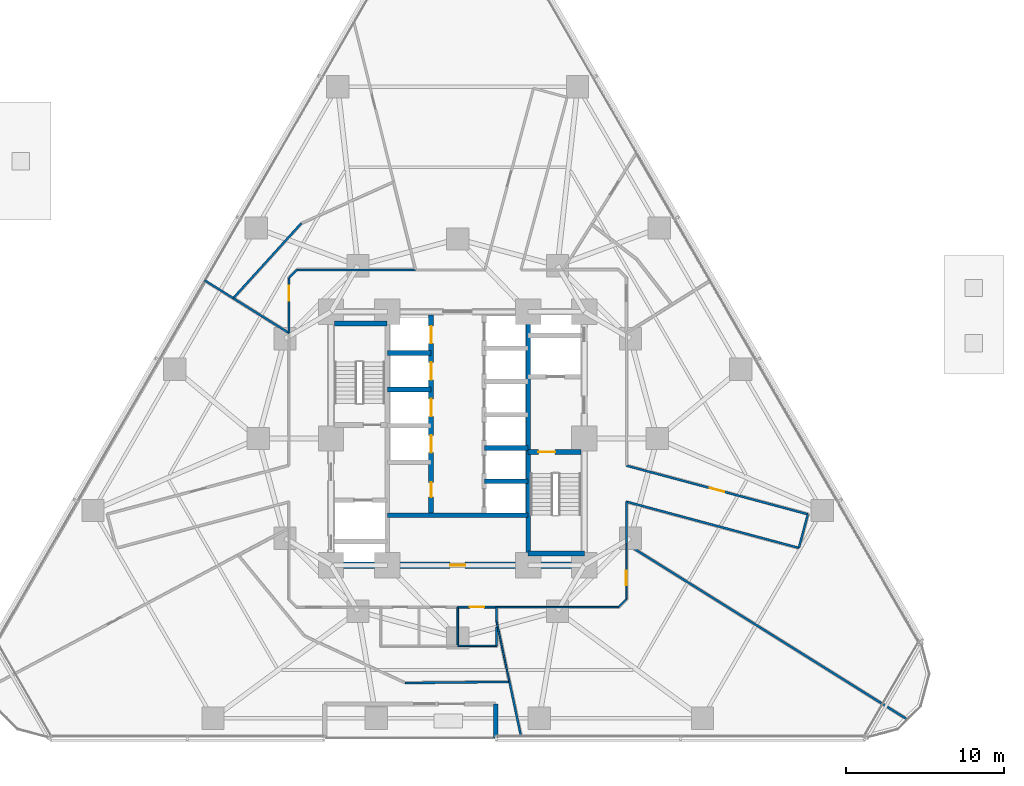
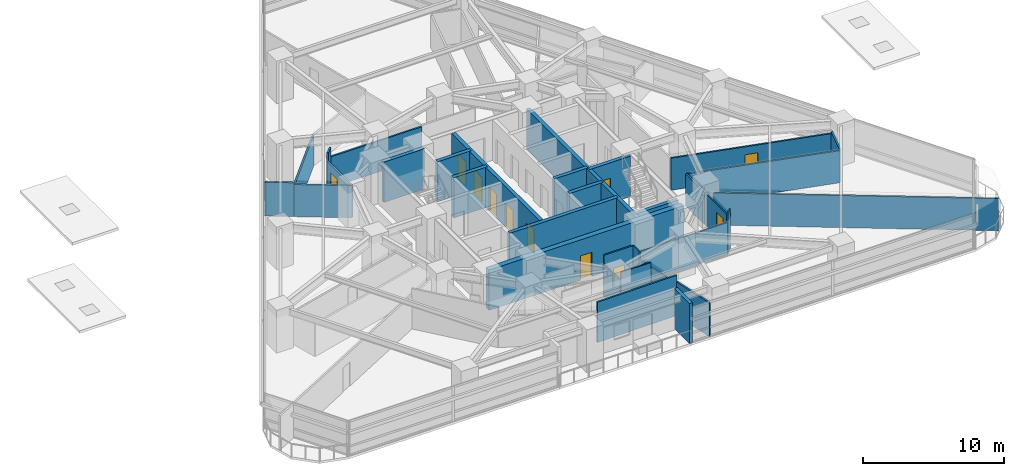
# One storey, part 9 of 16: 34 walls, 11 doors, 11 openings.
"""IFC4 building model written with IfcOpenShell, lengths in metres."""

from ifc_helpers import new_model, si_unit, direction, frame, frame_2d, origin, place, context, subcontext, project, spatial, rectangle, extrude, material, layer, layer_set, type_object, element, fill, save


model = new_model("IFC4")

# Units and contexts
model_context = context("Model", 3, precision=1e-05, world=origin(), true_north=direction((0.0, 1.0)))
body_context = subcontext(model_context, "Body", "Model", "MODEL_VIEW")
ifc_project = project(units=[si_unit("LENGTHUNIT", "METRE"), si_unit("AREAUNIT", "SQUARE_METRE"), si_unit("VOLUMEUNIT", "CUBIC_METRE"), si_unit("PLANEANGLEUNIT", "RADIAN"), si_unit("MASSUNIT", "GRAM", prefix="KILO")], contexts=[model_context])

# Site, building, storey
site_placement = place(None, origin())
site = spatial("IfcSite", under=ifc_project, at=site_placement, CompositionType="ELEMENT")
building_placement = place(site_placement, origin())
building = spatial("IfcBuilding", under=site, at=building_placement, Name="Terralouvre Media Tower", CompositionType="ELEMENT")
storey_placement = place(building_placement, frame((0.0, 0.0, 29.699951171875)))
storey = spatial("IfcBuildingStorey", under=building, at=storey_placement, Name="L06", CompositionType="ELEMENT", Elevation=29.699951171875)

# Walls
ifc_material_1 = material(Name="Concrete C50/60", Category="concrete")
ifc_layer_1 = layer(ifc_material_1, 0.300048828125, Name="Core Internal Shaft Wall CW-300")
ifc_layer_set_1 = layer_set([ifc_layer_1], Name="Concrete C50/60")
wall_type_1 = type_object("IfcWallType", Name="Core Internal Shaft Wall CW-300", PredefinedType="SHEAR", material=ifc_layer_set_1)
wall_1_placement = place(storey_placement, frame((4.449951171875, -7.7900390625, 0.0), z_axis=(0.0, 0.0, 1.0), x_axis=(0.0, 1.0, 0.0)))
element("IfcWall", 1, at=wall_1_placement, inside=storey, type_object=wall_type_1, Name="L06 Core Shaft Wall SPE", PredefinedType="SHEAR", context=body_context, shape_type="SweptSolid", body=[
    extrude(rectangle(XDim=15.580078125, YDim=0.300048828125, at=frame_2d((7.7900390625, 0.0))), origin(), (0.0, 0.0, 1.0), 3.5),
])
wall_2_placement = place(storey_placement, frame((-7.7900390625, 7.260009765625, 0.0), z_axis=(0.0, 0.0, 1.0), x_axis=(1.0, 0.0, 0.0)))
element("IfcWall", 2, at=wall_2_placement, inside=storey, type_object=wall_type_1, Name="L06 Core Shaft Wall ST1F", PredefinedType="SHEAR", context=body_context, shape_type="SweptSolid", body=[
    extrude(rectangle(XDim=3.340087890625, YDim=0.300048828125, at=frame_2d((1.669921875, 0.0))), origin(), (0.0, 0.0, 1.0), 3.5),
])

# Wall, opening, door
wall_3_placement = place(storey_placement, frame((4.449951171875, -0.85009765625, 0.0), z_axis=(0.0, 0.0, 1.0), x_axis=(1.0, 0.0, 0.0)))
wall_3 = element("IfcWall", 3, at=wall_3_placement, inside=storey, type_object=wall_type_1, Name="L06 Core Shaft Wall ST2D", PredefinedType="SHEAR", context=body_context, shape_type="SweptSolid", body=[
    extrude(rectangle(XDim=3.340087890625, YDim=0.300048828125, at=frame_2d((1.669921875, 0.0))), origin(), (0.0, 0.0, 1.0), 3.5),
])
opening_1_placement = place(wall_3_placement, frame((0.64990234375, 0.0, 0.0)))
opening_1 = element("IfcOpeningElement", 4, at=opening_1_placement, cuts=wall_3, Name="Opening FD-01-105X215", PredefinedType="OPENING", context=body_context, shape_type="SweptSolid", body=[
    extrude(rectangle(XDim=1.050048828125, YDim=2.14990234375, at=frame_2d((0.52490234375, 1.074951171875))), frame((0.0, 0.159912109375, 0.0), z_axis=(0.0, -1.0, 0.0), x_axis=(1.0, 0.0, 0.0)), (0.0, 0.0, 1.0), 0.320068359375),
])
ifc_material_2 = material(Name="Galvanised steel fire-resisting leaf", Category="steel")
door_type_1 = type_object("IfcDoorType", Name="Stair and Firefighting Lobby Fire Door FD-01 (1050x2150)", OperationType="NOTDEFINED", PredefinedType="DOOR", material=ifc_material_2)
door_1_placement = place(opening_1_placement, origin())
door_1 = element("IfcDoor", 5, at=door_1_placement, inside=storey, type_object=door_type_1, Name="L06 ST-02 Exit Stair Door", OperationType="SINGLE_SWING_RIGHT", OverallHeight=2.14990234375, OverallWidth=1.050048828125, PredefinedType="DOOR", context=body_context, shape_type="SweptSolid", body=[
    extrude(rectangle(XDim=1.050048828125, YDim=2.14990234375, at=frame_2d((0.52490234375, 1.074951171875))), frame((0.0, 0.02490234375, 0.0), z_axis=(0.0, -1.0, 0.0), x_axis=(1.0, 0.0, 0.0)), (0.0, 0.0, 1.0), 0.050048828125),
])
fill(opening_1, door_1)

# Walls
wall_4_placement = place(storey_placement, frame((4.449951171875, -7.260009765625, 0.0), z_axis=(0.0, 0.0, 1.0), x_axis=(1.0, 0.0, 0.0)))
element("IfcWall", 6, at=wall_4_placement, inside=storey, type_object=wall_type_1, Name="L06 Core Shaft Wall ST2F", PredefinedType="SHEAR", context=body_context, shape_type="SweptSolid", body=[
    extrude(rectangle(XDim=3.550048828125, YDim=0.300048828125, at=frame_2d((1.77490234375, 0.0))), origin(), (0.0, 0.0, 1.0), 3.5),
])
wall_5_placement = place(storey_placement, frame((-4.449951171875, -4.85009765625, 0.0), z_axis=(0.0, 0.0, 1.0), x_axis=(1.0, 0.0, 0.0)))
element("IfcWall", 7, at=wall_5_placement, inside=storey, type_object=wall_type_1, Name="L06 Core Shaft Wall CSBN", PredefinedType="SHEAR", context=body_context, shape_type="SweptSolid", body=[
    extrude(rectangle(XDim=8.89990234375, YDim=0.300048828125, at=frame_2d((4.449951171875, 0.0))), origin(), (0.0, 0.0, 1.0), 3.5),
])

# Wall, openings, doors
wall_6_placement = place(storey_placement, frame((-1.679931640625, -4.85009765625, 0.0), z_axis=(0.0, 0.0, 1.0), x_axis=(0.0, 1.0, 0.0)))
wall_6 = element("IfcWall", 8, at=wall_6_placement, inside=storey, type_object=wall_type_1, Name="L06 Core Shaft Wall LBW", PredefinedType="SHEAR", context=body_context, shape_type="SweptSolid", body=[
    extrude(rectangle(XDim=12.64013671875, YDim=0.300048828125, at=frame_2d((6.320068359375, 0.0))), origin(), (0.0, 0.0, 1.0), 3.5),
])
opening_2_placement = place(wall_6_placement, frame((3.949951171875, 0.0, 0.0)))
opening_2 = element("IfcOpeningElement", 9, at=opening_2_placement, cuts=wall_6, Name="Opening LD-PL", PredefinedType="OPENING", context=body_context, shape_type="SweptSolid", body=[
    extrude(rectangle(XDim=1.10009765625, YDim=2.10009765625, at=frame_2d((0.550048828125, 1.050048828125))), frame((0.0, 0.159912109375, 0.0), z_axis=(0.0, -1.0, 0.0), x_axis=(1.0, 0.0, 0.0)), (0.0, 0.0, 1.0), 0.320068359375),
])
opening_3_placement = place(wall_6_placement, frame((6.25, 0.0, 0.0)))
opening_3 = element("IfcOpeningElement", 10, at=opening_3_placement, cuts=wall_6, Name="Opening LD-PL", PredefinedType="OPENING", context=body_context, shape_type="SweptSolid", body=[
    extrude(rectangle(XDim=1.10009765625, YDim=2.10009765625, at=frame_2d((0.550048828125, 1.050048828125))), frame((0.0, 0.159912109375, 0.0), z_axis=(0.0, -1.0, 0.0), x_axis=(1.0, 0.0, 0.0)), (0.0, 0.0, 1.0), 0.320068359375),
])
opening_4_placement = place(wall_6_placement, frame((8.550048828125, 0.0, 0.0)))
opening_4 = element("IfcOpeningElement", 11, at=opening_4_placement, cuts=wall_6, Name="Opening LD-PL", PredefinedType="OPENING", context=body_context, shape_type="SweptSolid", body=[
    extrude(rectangle(XDim=1.10009765625, YDim=2.10009765625, at=frame_2d((0.550048828125, 1.050048828125))), frame((0.0, 0.159912109375, 0.0), z_axis=(0.0, -1.0, 0.0), x_axis=(1.0, 0.0, 0.0)), (0.0, 0.0, 1.0), 0.320068359375),
])
opening_5_placement = place(wall_6_placement, frame((10.85009765625, 0.0, 0.0)))
opening_5 = element("IfcOpeningElement", 12, at=opening_5_placement, cuts=wall_6, Name="Opening LD-PL", PredefinedType="OPENING", context=body_context, shape_type="SweptSolid", body=[
    extrude(rectangle(XDim=1.10009765625, YDim=2.10009765625, at=frame_2d((0.550048828125, 1.050048828125))), frame((0.0, 0.159912109375, 0.0), z_axis=(0.0, -1.0, 0.0), x_axis=(1.0, 0.0, 0.0)), (0.0, 0.0, 1.0), 0.320068359375),
])
opening_6_placement = place(wall_6_placement, frame((1.14990234375, 0.0, 0.0)))
opening_6 = element("IfcOpeningElement", 13, at=opening_6_placement, cuts=wall_6, Name="Opening FD-05-92X210", PredefinedType="OPENING", context=body_context, shape_type="SweptSolid", body=[
    extrude(rectangle(XDim=0.919921875, YDim=2.10009765625, at=frame_2d((0.4599609375, 1.050048828125))), frame((0.0, 0.159912109375, 0.0), z_axis=(0.0, -1.0, 0.0), x_axis=(1.0, 0.0, 0.0)), (0.0, 0.0, 1.0), 0.320068359375),
])
ifc_material_3 = material(Name="Galvanised steel fire-resisting leaf", Category="steel")
door_type_2 = type_object("IfcDoorType", Name="Core Accessible Closet Fire Door FD-05 (920x2100)", OperationType="NOTDEFINED", PredefinedType="DOOR", material=ifc_material_3)
door_2_placement = place(opening_6_placement, origin())
door_2 = element("IfcDoor", 14, at=door_2_placement, inside=storey, type_object=door_type_2, Name="L06 Core Cleaners Closet Door", OperationType="SINGLE_SWING_LEFT", OverallHeight=2.10009765625, OverallWidth=0.919921875, PredefinedType="DOOR", context=body_context, shape_type="SweptSolid", body=[
    extrude(rectangle(XDim=0.919921875, YDim=2.10009765625, at=frame_2d((0.4599609375, 1.050048828125))), frame((0.0, 0.02490234375, 0.0), z_axis=(0.0, -1.0, 0.0), x_axis=(1.0, 0.0, 0.0)), (0.0, 0.0, 1.0), 0.050048828125),
])
fill(opening_6, door_2)
ifc_material_4 = material(Name="Stainless steel 316 handrail and balustrade", Category="steel")
door_type_3 = type_object("IfcDoorType", Name="Passenger Lift Sliding Landing Door LD-PL", OperationType="SLIDING_TO_LEFT", PredefinedType="DOOR", material=ifc_material_4)
door_3_placement = place(opening_2_placement, origin())
door_3 = element("IfcDoor", 15, at=door_3_placement, inside=storey, type_object=door_type_3, Name="L06 Low-Rise Lift PL-L1 Landing Door", OperationType="SLIDING_TO_LEFT", OverallHeight=2.10009765625, OverallWidth=1.10009765625, PredefinedType="DOOR", context=body_context, shape_type="SweptSolid", body=[
    extrude(rectangle(XDim=1.10009765625, YDim=2.10009765625, at=frame_2d((0.550048828125, 1.050048828125))), frame((0.0, 0.02490234375, 0.0), z_axis=(0.0, -1.0, 0.0), x_axis=(1.0, 0.0, 0.0)), (0.0, 0.0, 1.0), 0.050048828125),
])
fill(opening_2, door_3)
door_4_placement = place(opening_3_placement, origin())
door_4 = element("IfcDoor", 16, at=door_4_placement, inside=storey, type_object=door_type_3, Name="L06 Low-Rise Lift PL-L2 Landing Door", OperationType="SLIDING_TO_LEFT", OverallHeight=2.10009765625, OverallWidth=1.10009765625, PredefinedType="DOOR", context=body_context, shape_type="SweptSolid", body=[
    extrude(rectangle(XDim=1.10009765625, YDim=2.10009765625, at=frame_2d((0.550048828125, 1.050048828125))), frame((0.0, 0.02490234375, 0.0), z_axis=(0.0, -1.0, 0.0), x_axis=(1.0, 0.0, 0.0)), (0.0, 0.0, 1.0), 0.050048828125),
])
fill(opening_3, door_4)
door_5_placement = place(opening_4_placement, origin())
door_5 = element("IfcDoor", 17, at=door_5_placement, inside=storey, type_object=door_type_3, Name="L06 Low-Rise Lift PL-L3 Landing Door", OperationType="SLIDING_TO_LEFT", OverallHeight=2.10009765625, OverallWidth=1.10009765625, PredefinedType="DOOR", context=body_context, shape_type="SweptSolid", body=[
    extrude(rectangle(XDim=1.10009765625, YDim=2.10009765625, at=frame_2d((0.550048828125, 1.050048828125))), frame((0.0, 0.02490234375, 0.0), z_axis=(0.0, -1.0, 0.0), x_axis=(1.0, 0.0, 0.0)), (0.0, 0.0, 1.0), 0.050048828125),
])
fill(opening_4, door_5)
door_6_placement = place(opening_5_placement, origin())
door_6 = element("IfcDoor", 18, at=door_6_placement, inside=storey, type_object=door_type_3, Name="L06 Low-Rise Lift PL-L4 Landing Door", OperationType="SLIDING_TO_LEFT", OverallHeight=2.10009765625, OverallWidth=1.10009765625, PredefinedType="DOOR", context=body_context, shape_type="SweptSolid", body=[
    extrude(rectangle(XDim=1.10009765625, YDim=2.10009765625, at=frame_2d((0.550048828125, 1.050048828125))), frame((0.0, 0.02490234375, 0.0), z_axis=(0.0, -1.0, 0.0), x_axis=(1.0, 0.0, 0.0)), (0.0, 0.0, 1.0), 0.050048828125),
])
fill(opening_5, door_6)

# Walls
for number, where, z_axis, x_axis, name in (
    (19, (-4.449951171875, 3.10009765625, 0.0), (0.0, 0.0, 1.0), (1.0, 0.0, 0.0), "L06 Core Shaft Wall PLLD2"),
    (20, (-4.449951171875, 5.39990234375, 0.0), (0.0, 0.0, 1.0), (1.0, 0.0, 0.0), "L06 Core Shaft Wall PLLD3"),
    (21, (1.679931640625, -2.699951171875, 0.0), (0.0, 0.0, 1.0), (1.0, 0.0, 0.0), "L06 Core Shaft Wall PLHD1"),
    (22, (1.679931640625, -0.60009765625, 0.0), (0.0, 0.0, 1.0), (1.0, 0.0, 0.0), "L06 Core Shaft Wall PLHD2"),
):
    element("IfcWall", number, at=place(storey_placement, frame(where, z_axis=z_axis, x_axis=x_axis)), inside=storey, type_object=wall_type_1, Name=name, PredefinedType="SHEAR", context=body_context, shape_type="SweptSolid", body=[
        extrude(rectangle(XDim=2.77001953125, YDim=0.300048828125, at=frame_2d((1.385009765625, 0.0))), origin(), (0.0, 0.0, 1.0), 3.5),
    ])

# Wall, opening, door
ifc_material_5 = material(Name="Concrete C60/75", Category="concrete")
ifc_layer_2 = layer(ifc_material_5, 0.419921875, Name="Core Reinforced Concrete Shear Wall CW-420")
ifc_layer_set_2 = layer_set([ifc_layer_2], Name="Concrete C60/75")
wall_type_2 = type_object("IfcWallType", Name="Core Reinforced Concrete Shear Wall CW-420", PredefinedType="SHEAR", material=ifc_layer_set_2)
wall_7_placement = place(storey_placement, frame((-8.0, -8.0, 0.0), z_axis=(0.0, 0.0, 1.0), x_axis=(1.0, 0.0, 0.0)))
wall_7 = element("IfcWall", 23, at=wall_7_placement, inside=storey, type_object=wall_type_2, Name="L06 S Core Shear Wall", PredefinedType="SHEAR", context=body_context, shape_type="SweptSolid", body=[
    extrude(rectangle(XDim=16.0, YDim=0.419921875, at=frame_2d((8.0, 0.0))), origin(), (0.0, 0.0, 1.0), 3.5),
])
opening_7_placement = place(wall_7_placement, frame((7.52001953125, 0.0, 0.0)))
opening_7 = element("IfcOpeningElement", 24, at=opening_7_placement, cuts=wall_7, Name="Opening FD-02-95X210", PredefinedType="OPENING", context=body_context, shape_type="SweptSolid", body=[
    extrude(rectangle(XDim=0.949951171875, YDim=2.10009765625, at=frame_2d((0.47509765625, 1.050048828125))), frame((0.0, 0.219970703125, 0.0), z_axis=(0.0, -1.0, 0.0), x_axis=(1.0, 0.0, 0.0)), (0.0, 0.0, 1.0), 0.43994140625),
])
ifc_material_6 = material(Name="Galvanised steel fire-resisting leaf", Category="steel")
door_type_4 = type_object("IfcDoorType", Name="Plant and Riser Fire Door FD-02 (950x2100)", OperationType="NOTDEFINED", PredefinedType="DOOR", material=ifc_material_6)
door_7_placement = place(opening_7_placement, origin())
door_7 = element("IfcDoor", 25, at=door_7_placement, inside=storey, type_object=door_type_4, Name="L06 Core Switchgear Plant Door", OperationType="SINGLE_SWING_LEFT", OverallHeight=2.10009765625, OverallWidth=0.949951171875, PredefinedType="DOOR", context=body_context, shape_type="SweptSolid", body=[
    extrude(rectangle(XDim=0.949951171875, YDim=2.10009765625, at=frame_2d((0.47509765625, 1.050048828125))), frame((0.0, 0.02490234375, 0.0), z_axis=(0.0, -1.0, 0.0), x_axis=(1.0, 0.0, 0.0)), (0.0, 0.0, 1.0), 0.050048828125),
])
fill(opening_7, door_7)

# Walls
ifc_material_7 = material(Name="Low-iron laminated double glazing with solar-control coating", Category="glass")
ifc_layer_3 = layer(ifc_material_7, 0.10009765625, Name="Demountable Glazed Office Partition PT-GL100")
ifc_layer_set_3 = layer_set([ifc_layer_3], Name="Low-iron laminated double glazing with solar-control coating")
wall_type_3 = type_object("IfcWallType", Name="Demountable Glazed Office Partition PT-GL100", PredefinedType="MOVABLE", material=ifc_layer_set_3)
wall_8_placement = place(storey_placement, frame((2.449951171875, -10.64990234375, 0.0), z_axis=(0.0, 0.0, 1.0), x_axis=(1.0, 0.0, 0.0)))
element("IfcWall", 26, at=wall_8_placement, inside=storey, type_object=wall_type_3, Name="L06 Interior Partition 022", PredefinedType="MOVABLE", context=body_context, shape_type="SweptSolid", body=[
    extrude(rectangle(XDim=7.699951171875, YDim=0.10009765625, at=frame_2d((3.85009765625, 0.0))), origin(), (0.0, 0.0, 1.0), 2.78515625),
])
wall_9_placement = place(storey_placement, frame((10.14990234375, -10.64990234375, 0.0), z_axis=(0.0, 0.0, 1.0), x_axis=(0.707106781187, 0.707106781187, 0.0)))
element("IfcWall", 27, at=wall_9_placement, inside=storey, type_object=wall_type_3, Name="L06 Interior Partition 023", PredefinedType="MOVABLE", context=body_context, shape_type="SweptSolid", body=[
    extrude(rectangle(XDim=0.70703125, YDim=0.10009765625, at=frame_2d((0.353515625, 0.0))), origin(), (0.0, 0.0, 1.0), 3.5),
])

# Wall, opening, door
wall_10_placement = place(storey_placement, frame((10.64990234375, -10.14990234375, 0.0), z_axis=(0.0, 0.0, 1.0), x_axis=(0.0, 1.0, 0.0)))
wall_10 = element("IfcWall", 28, at=wall_10_placement, inside=storey, type_object=wall_type_3, Name="L06 Interior Partition 024", PredefinedType="MOVABLE", context=body_context, shape_type="SweptSolid", body=[
    extrude(rectangle(XDim=3.494873046875, YDim=0.10009765625, at=frame_2d((1.74755859375, 0.0))), origin(), (0.0, 0.0, 1.0), 2.78515625),
])
opening_8_placement = place(wall_10_placement, frame((0.8681640625, 0.0, 0.0)))
opening_8 = element("IfcOpeningElement", 29, at=opening_8_placement, cuts=wall_10, Name="Opening ID-03-92X210", PredefinedType="OPENING", context=body_context, shape_type="SweptSolid", body=[
    extrude(rectangle(XDim=0.919921875, YDim=2.10009765625, at=frame_2d((0.4599609375, 1.050048828125))), frame((0.0, 0.06005859375, 0.0), z_axis=(0.0, -1.0, 0.0), x_axis=(1.0, 0.0, 0.0)), (0.0, 0.0, 1.0), 0.1201171875),
])
ifc_material_8 = material(Name="Engineered hardwood acoustic timber leaf", Category="wood")
door_type_5 = type_object("IfcDoorType", Name="Accessible Restroom and Suite Door ID-03 (920x2100)", OperationType="NOTDEFINED", PredefinedType="DOOR", material=ifc_material_8)
door_8_placement = place(opening_8_placement, origin())
door_8 = element("IfcDoor", 30, at=door_8_placement, inside=storey, type_object=door_type_5, Name="L06 Editorial Huddle Room 6 Door", OperationType="SINGLE_SWING_LEFT", OverallHeight=2.10009765625, OverallWidth=0.919921875, PredefinedType="DOOR", context=body_context, shape_type="SweptSolid", body=[
    extrude(rectangle(XDim=0.919921875, YDim=2.10009765625, at=frame_2d((0.4599609375, 1.050048828125))), frame((0.0, 0.02490234375, 0.0), z_axis=(0.0, -1.0, 0.0), x_axis=(1.0, 0.0, 0.0)), (0.0, 0.0, 1.0), 0.050048828125),
])
fill(opening_8, door_8)

# Walls
wall_11_placement = place(storey_placement, frame((2.449951171875, -11.9345703125, 0.0), z_axis=(0.0, 0.0, 1.0), x_axis=(0.0, -1.0, 0.0)))
element("IfcWall", 31, at=wall_11_placement, inside=storey, type_object=wall_type_3, Name="L06 Interior Partition 049", PredefinedType="MOVABLE", context=body_context, shape_type="SweptSolid", body=[
    extrude(rectangle(XDim=1.16552734375, YDim=0.10009765625, at=frame_2d((0.582763671875, 0.0))), origin(), (0.0, 0.0, 1.0), 2.78515625),
])
wall_12_placement = place(storey_placement, frame((2.449951171875, -13.10009765625, 0.0), z_axis=(0.0, 0.0, 1.0), x_axis=(-1.0, 0.0, 0.0)))
element("IfcWall", 32, at=wall_12_placement, inside=storey, type_object=wall_type_3, Name="L06 Interior Partition 050", PredefinedType="MOVABLE", context=body_context, shape_type="SweptSolid", body=[
    extrude(rectangle(XDim=2.449951171875, YDim=0.10009765625, at=frame_2d((1.22509765625, 0.0))), origin(), (0.0, 0.0, 1.0), 3.5),
])
wall_13_placement = place(storey_placement, frame((3.26708984375, -15.367919921875, 0.0), z_axis=(0.0, 0.0, 1.0), x_axis=(-0.208030469109, 0.978122346091, 0.0)))
element("IfcWall", 33, at=wall_13_placement, inside=storey, type_object=wall_type_3, Name="L06 Interior Partition 051", PredefinedType="MOVABLE", context=body_context, shape_type="SweptSolid", body=[
    extrude(rectangle(XDim=3.927978515625, YDim=0.10009765625, at=frame_2d((1.9638671875, 0.0))), origin(), (0.0, 0.0, 1.0), 2.78515625),
])
ifc_material_9 = material(Name="Fire-rated gypsum board drywall partition")
ifc_layer_4 = layer(ifc_material_9, 0.135009765625, Name="Newsroom Acoustic Partition PT-135")
ifc_layer_set_4 = layer_set([ifc_layer_4], Name="Fire-rated gypsum board drywall partition")
wall_type_4 = type_object("IfcWallType", Name="Newsroom Acoustic Partition PT-135", PredefinedType="PARTITIONING", material=ifc_layer_set_4)
wall_14_placement = place(storey_placement, frame((10.64990234375, -6.655029296875, 0.0), z_axis=(0.0, 0.0, 1.0), x_axis=(0.0, 1.0, 0.0)))
element("IfcWall", 34, at=wall_14_placement, inside=storey, type_object=wall_type_4, Name="L06 Interior Partition 001", PredefinedType="PARTITIONING", context=body_context, shape_type="SweptSolid", body=[
    extrude(rectangle(XDim=2.6630859375, YDim=0.135009765625, at=frame_2d((1.33154296875, 0.0))), origin(), (0.0, 0.0, 1.0), 2.78515625),
])
wall_15_placement = place(storey_placement, frame((10.64990234375, -3.991943359375, 0.0), z_axis=(0.0, 0.0, 1.0), x_axis=(0.965906888357, -0.258889712088, 0.0)))
element("IfcWall", 35, at=wall_15_placement, inside=storey, type_object=wall_type_4, Name="L06 Interior Partition 002", PredefinedType="PARTITIONING", context=body_context, shape_type="SweptSolid", body=[
    extrude(rectangle(XDim=11.279541015625, YDim=0.135009765625, at=frame_2d((5.6396484375, 0.0))), origin(), (0.0, 0.0, 1.0), 2.78515625),
])
wall_16_placement = place(storey_placement, frame((21.544921875, -6.912109375, 0.0), z_axis=(0.0, 0.0, 1.0), x_axis=(0.259105843213, 0.965848933329, 0.0)))
element("IfcWall", 36, at=wall_16_placement, inside=storey, type_object=wall_type_4, Name="L06 Interior Partition 003", PredefinedType="PARTITIONING", context=body_context, shape_type="SweptSolid", body=[
    extrude(rectangle(XDim=2.2001953125, YDim=0.135009765625, at=frame_2d((1.10009765625, 0.0))), origin(), (0.0, 0.0, 1.0), 2.93505859375),
])

# Wall, opening, door
wall_17_placement = place(storey_placement, frame((22.114990234375, -4.787109375, 0.0), z_axis=(0.0, 0.0, 1.0), x_axis=(-0.965926659449, 0.258815935688, 0.0)))
wall_17 = element("IfcWall", 37, at=wall_17_placement, inside=storey, type_object=wall_type_4, Name="L06 Interior Partition 004", PredefinedType="PARTITIONING", context=body_context, shape_type="SweptSolid", body=[
    extrude(rectangle(XDim=11.86962890625, YDim=0.135009765625, at=frame_2d((5.934814453125, 0.0))), origin(), (0.0, 0.0, 1.0), 2.78515625),
])
opening_9_placement = place(wall_17_placement, frame((5.459716796875, 0.0, 0.0)))
opening_9 = element("IfcOpeningElement", 38, at=opening_9_placement, cuts=wall_17, Name="Opening ID-02-95X210", PredefinedType="OPENING", context=body_context, shape_type="SweptSolid", body=[
    extrude(rectangle(XDim=0.949951171875, YDim=2.10009765625, at=frame_2d((0.47509765625, 1.050048828125))), frame((0.0, 0.077392578125, 0.0), z_axis=(0.0, -1.0, 0.0), x_axis=(1.0, 0.0, 0.0)), (0.0, 0.0, 1.0), 0.155029296875),
])
ifc_material_10 = material(Name="Engineered hardwood acoustic timber leaf", Category="wood")
door_type_6 = type_object("IfcDoorType", Name="Office and Meeting Room Door ID-02 (950x2100)", OperationType="NOTDEFINED", PredefinedType="DOOR", material=ifc_material_10)
door_9_placement = place(opening_9_placement, origin())
door_9 = element("IfcDoor", 39, at=door_9_placement, inside=storey, type_object=door_type_6, Name="L06 Live Wire Newsroom Open Office 1 Door", OperationType="SINGLE_SWING_RIGHT", OverallHeight=2.10009765625, OverallWidth=0.949951171875, PredefinedType="DOOR", context=body_context, shape_type="SweptSolid", body=[
    extrude(rectangle(XDim=0.949951171875, YDim=2.10009765625, at=frame_2d((0.47509765625, 1.050048828125))), frame((0.0, 0.02490234375, 0.0), z_axis=(0.0, -1.0, 0.0), x_axis=(1.0, 0.0, 0.0)), (0.0, 0.0, 1.0), 0.050048828125),
])
fill(opening_9, door_9)

# Walls
wall_18_placement = place(storey_placement, frame((-2.655029296875, 10.64990234375, 0.0), z_axis=(0.0, 0.0, 1.0), x_axis=(-1.0, 0.0, 0.0)))
element("IfcWall", 40, at=wall_18_placement, inside=storey, type_object=wall_type_4, Name="L06 Interior Partition 028", PredefinedType="PARTITIONING", context=body_context, shape_type="SweptSolid", body=[
    extrude(rectangle(XDim=7.494873046875, YDim=0.135009765625, at=frame_2d((3.74755859375, 0.0))), origin(), (0.0, 0.0, 1.0), 2.68505859375),
])
wall_19_placement = place(storey_placement, frame((-10.14990234375, 10.64990234375, 0.0), z_axis=(0.0, 0.0, 1.0), x_axis=(-0.707106781187, -0.707106781187, 0.0)))
element("IfcWall", 41, at=wall_19_placement, inside=storey, type_object=wall_type_4, Name="L06 Interior Partition 029", PredefinedType="PARTITIONING", context=body_context, shape_type="SweptSolid", body=[
    extrude(rectangle(XDim=0.70703125, YDim=0.135009765625, at=frame_2d((0.353515625, 0.0))), origin(), (0.0, 0.0, 1.0), 3.5),
])

# Wall, opening, door
wall_20_placement = place(storey_placement, frame((-10.64990234375, 10.14990234375, 0.0), z_axis=(0.0, 0.0, 1.0), x_axis=(0.0, -1.0, 0.0)))
wall_20 = element("IfcWall", 42, at=wall_20_placement, inside=storey, type_object=wall_type_4, Name="L06 Interior Partition 030", PredefinedType="PARTITIONING", context=body_context, shape_type="SweptSolid", body=[
    extrude(rectangle(XDim=3.494873046875, YDim=0.135009765625, at=frame_2d((1.74755859375, 0.0))), origin(), (0.0, 0.0, 1.0), 2.78515625),
])
opening_10_placement = place(wall_20_placement, frame((0.503662109375, 0.0, 0.0)))
opening_10 = element("IfcOpeningElement", 43, at=opening_10_placement, cuts=wall_20, Name="Opening ID-02-95X210", PredefinedType="OPENING", context=body_context, shape_type="SweptSolid", body=[
    extrude(rectangle(XDim=0.949951171875, YDim=2.10009765625, at=frame_2d((0.47509765625, 1.050048828125))), frame((0.0, 0.077392578125, 0.0), z_axis=(0.0, -1.0, 0.0), x_axis=(1.0, 0.0, 0.0)), (0.0, 0.0, 1.0), 0.155029296875),
])
door_10_placement = place(opening_10_placement, origin())
door_10 = element("IfcDoor", 44, at=door_10_placement, inside=storey, type_object=door_type_6, Name="L06 Anchor Green Lounge 10 Door", OperationType="SINGLE_SWING_LEFT", OverallHeight=2.10009765625, OverallWidth=0.949951171875, PredefinedType="DOOR", context=body_context, shape_type="SweptSolid", body=[
    extrude(rectangle(XDim=0.949951171875, YDim=2.10009765625, at=frame_2d((0.47509765625, 1.050048828125))), frame((0.0, 0.02490234375, 0.0), z_axis=(0.0, -1.0, 0.0), x_axis=(1.0, 0.0, 0.0)), (0.0, 0.0, 1.0), 0.050048828125),
])
fill(opening_10, door_10)

# Walls
wall_21_placement = place(storey_placement, frame((10.64990234375, -6.655029296875, 0.0), z_axis=(0.0, 0.0, 1.0), x_axis=(0.848052240981, -0.529912631069, 0.0)))
element("IfcWall", 45, at=wall_21_placement, inside=storey, type_object=wall_type_4, Name="L06 Interior Partition 031", PredefinedType="PARTITIONING", context=body_context, shape_type="SweptSolid", body=[
    extrude(rectangle(XDim=20.850341796875, YDim=0.135009765625, at=frame_2d((10.42529296875, 0.0))), origin(), (0.0, 0.0, 1.0), 2.78515625),
])
wall_22_placement = place(storey_placement, frame((-14.175048828125, 8.85693359375, 0.0), z_axis=(0.0, 0.0, 1.0), x_axis=(-0.847856855063, 0.530225191142, 0.0)))
element("IfcWall", 46, at=wall_22_placement, inside=storey, type_object=wall_type_4, Name="L06 Interior Partition 040", PredefinedType="PARTITIONING", context=body_context, shape_type="SweptSolid", body=[
    extrude(rectangle(XDim=2.1337890625, YDim=0.135009765625, at=frame_2d((1.06689453125, 0.0))), origin(), (0.0, 0.0, 1.0), 2.93505859375),
])
wall_23_placement = place(storey_placement, frame((-10.64990234375, 6.655029296875, 0.0), z_axis=(0.0, 0.0, 1.0), x_axis=(-0.848140172493, 0.529771882798, 0.0)))
element("IfcWall", 47, at=wall_23_placement, inside=storey, type_object=wall_type_4, Name="L06 Interior Partition 041", PredefinedType="PARTITIONING", context=body_context, shape_type="SweptSolid", body=[
    extrude(rectangle(XDim=4.15625, YDim=0.135009765625, at=frame_2d((2.078125, 0.0))), origin(), (0.0, 0.0, 1.0), 2.78515625),
])
wall_24_placement = place(storey_placement, frame((3.26708984375, -15.367919921875, 0.0), z_axis=(0.0, 0.0, 1.0), x_axis=(-0.999931630146, -0.011693375588, 0.0)))
element("IfcWall", 48, at=wall_24_placement, inside=storey, type_object=wall_type_4, Name="L06 Interior Partition 042", PredefinedType="PARTITIONING", context=body_context, shape_type="SweptSolid", body=[
    extrude(rectangle(XDim=6.59765625, YDim=0.135009765625, at=frame_2d((3.298828125, 0.0))), origin(), (0.0, 0.0, 1.0), 3.5),
])
wall_25_placement = place(storey_placement, frame((4.00341796875, -18.8369140625, 0.0), z_axis=(0.0, 0.0, 1.0), x_axis=(-0.207633969896, 0.978206590933, 0.0)))
element("IfcWall", 49, at=wall_25_placement, inside=storey, type_object=wall_type_4, Name="L06 Interior Partition 045", PredefinedType="PARTITIONING", context=body_context, shape_type="SweptSolid", body=[
    extrude(rectangle(XDim=3.54638671875, YDim=0.135009765625, at=frame_2d((1.773193359375, 0.0))), origin(), (0.0, 0.0, 1.0), 2.93505859375),
])
wall_26_placement = place(storey_placement, frame((-14.175048828125, 8.85693359375, 0.0), z_axis=(0.0, 0.0, 1.0), x_axis=(0.672355423095, 0.740228468133, 0.0)))
element("IfcWall", 50, at=wall_26_placement, inside=storey, type_object=wall_type_4, Name="L06 Interior Partition 057", PredefinedType="PARTITIONING", context=body_context, shape_type="SweptSolid", body=[
    extrude(rectangle(XDim=6.3955078125, YDim=0.135009765625, at=frame_2d((3.19775390625, 0.0))), origin(), (0.0, 0.0, 1.0), 2.68505859375),
])
ifc_material_11 = material(Name="Kiln-fired architectural terracotta rainscreen cladding", Category="masonry")
ifc_layer_5 = layer(ifc_material_11, 0.260009765625, Name="Recessed Sky-Garden Acoustic Wall EW-SG260")
ifc_layer_set_5 = layer_set([ifc_layer_5], Name="Kiln-fired architectural terracotta rainscreen cladding")
wall_type_5 = type_object("IfcWallType", Name="Recessed Sky-Garden Acoustic Wall EW-SG260", PredefinedType="SOLIDWALL", material=ifc_layer_set_5)
wall_27_placement = place(storey_placement, frame((2.39990234375, -16.766845703125, 0.0), z_axis=(0.0, 0.0, 1.0), x_axis=(0.0, -1.0, 0.0)))
element("IfcWall", 51, at=wall_27_placement, inside=storey, type_object=wall_type_5, Name="L06 SG Pocket Right Cheek Wall", PredefinedType="SOLIDWALL", context=body_context, shape_type="SweptSolid", body=[
    extrude(rectangle(XDim=2.14990234375, YDim=0.260009765625, at=frame_2d((1.074951171875, 0.0))), origin(), (0.0, 0.0, 1.0), 3.5),
])

# Wall, opening, door
ifc_material_12 = material(Name="Fire-rated gypsum board drywall partition")
ifc_layer_6 = layer(ifc_material_12, 0.114990234375, Name="Restroom and Pantry Partition PT-115")
ifc_layer_set_6 = layer_set([ifc_layer_6], Name="Fire-rated gypsum board drywall partition")
wall_type_6 = type_object("IfcWallType", Name="Restroom and Pantry Partition PT-115", PredefinedType="PARTITIONING", material=ifc_layer_set_6)
wall_28_placement = place(storey_placement, frame((0.0, -10.64990234375, 0.0), z_axis=(0.0, 0.0, 1.0), x_axis=(1.0, 0.0, 0.0)))
wall_28 = element("IfcWall", 52, at=wall_28_placement, inside=storey, type_object=wall_type_6, Name="L06 Interior Partition 021", PredefinedType="PARTITIONING", context=body_context, shape_type="SweptSolid", body=[
    extrude(rectangle(XDim=2.449951171875, YDim=0.114990234375, at=frame_2d((1.22509765625, 0.0))), origin(), (0.0, 0.0, 1.0), 3.5),
])
opening_11_placement = place(wall_28_placement, frame((0.764892578125, 0.0, 0.0)))
opening_11 = element("IfcOpeningElement", 53, at=opening_11_placement, cuts=wall_28, Name="Opening ID-03-92X210", PredefinedType="OPENING", context=body_context, shape_type="SweptSolid", body=[
    extrude(rectangle(XDim=0.919921875, YDim=2.10009765625, at=frame_2d((0.4599609375, 1.050048828125))), frame((0.0, 0.0673828125, 0.0), z_axis=(0.0, -1.0, 0.0), x_axis=(1.0, 0.0, 0.0)), (0.0, 0.0, 1.0), 0.135009765625),
])
door_11_placement = place(opening_11_placement, origin())
door_11 = element("IfcDoor", 54, at=door_11_placement, inside=storey, type_object=door_type_5, Name="L06 Accessible Unisex WC Door", OperationType="SINGLE_SWING_RIGHT", OverallHeight=2.10009765625, OverallWidth=0.919921875, PredefinedType="DOOR", context=body_context, shape_type="SweptSolid", body=[
    extrude(rectangle(XDim=0.919921875, YDim=2.10009765625, at=frame_2d((0.4599609375, 1.050048828125))), frame((0.0, 0.02490234375, 0.0), z_axis=(0.0, -1.0, 0.0), x_axis=(1.0, 0.0, 0.0)), (0.0, 0.0, 1.0), 0.050048828125),
])
fill(opening_11, door_11)

# Walls
wall_29_placement = place(storey_placement, frame((0.0, -13.10009765625, 0.0), z_axis=(0.0, 0.0, 1.0), x_axis=(0.0, 1.0, 0.0)))
element("IfcWall", 55, at=wall_29_placement, inside=storey, type_object=wall_type_6, Name="L06 Interior Partition 053", PredefinedType="PARTITIONING", context=body_context, shape_type="SweptSolid", body=[
    extrude(rectangle(XDim=2.4501953125, YDim=0.114990234375, at=frame_2d((1.22509765625, 0.0))), origin(), (0.0, 0.0, 1.0), 2.78515625),
])
wall_30_placement = place(storey_placement, frame((2.449951171875, -11.52587890625, 0.0), z_axis=(0.0, 0.0, 1.0), x_axis=(0.0, 1.0, 0.0)))
element("IfcWall", 56, at=wall_30_placement, inside=storey, type_object=wall_type_6, Name="L06 Interior Partition 054", PredefinedType="PARTITIONING", context=body_context, shape_type="SweptSolid", body=[
    extrude(rectangle(XDim=0.8759765625, YDim=0.114990234375, at=frame_2d((0.43798828125, 0.0))), origin(), (0.0, 0.0, 1.0), 3.5),
])

save(model, "model.ifc")
